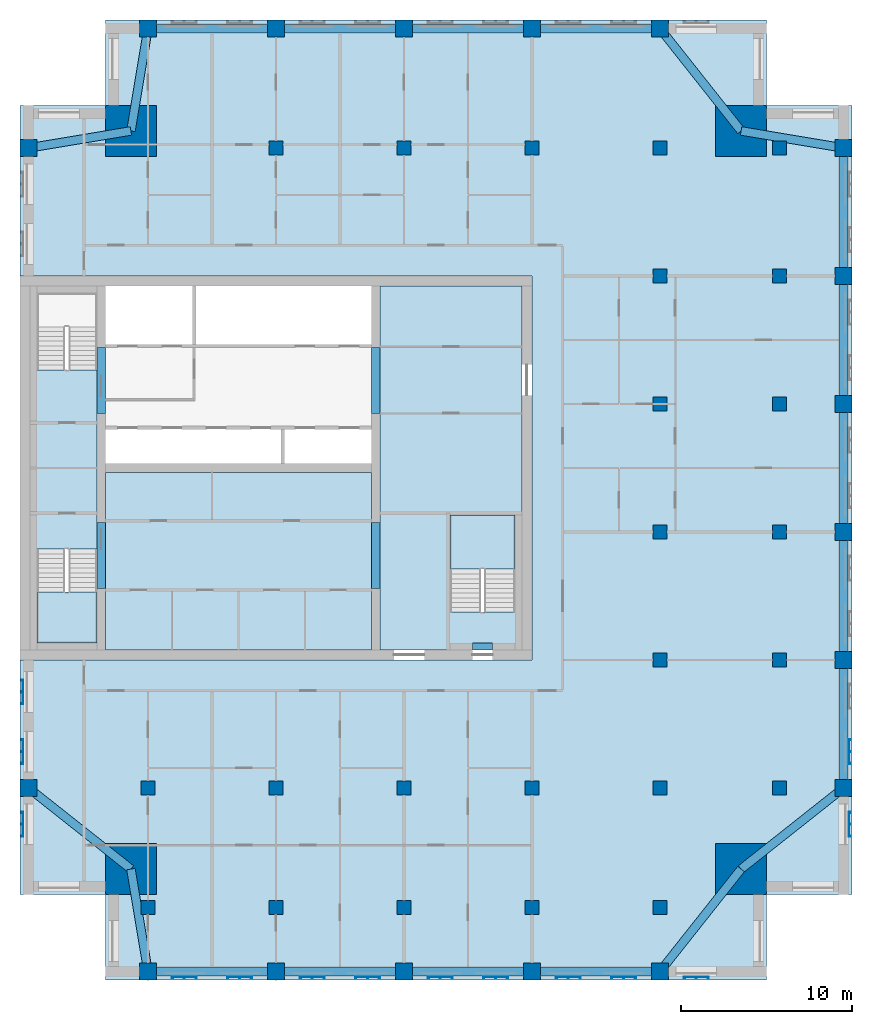
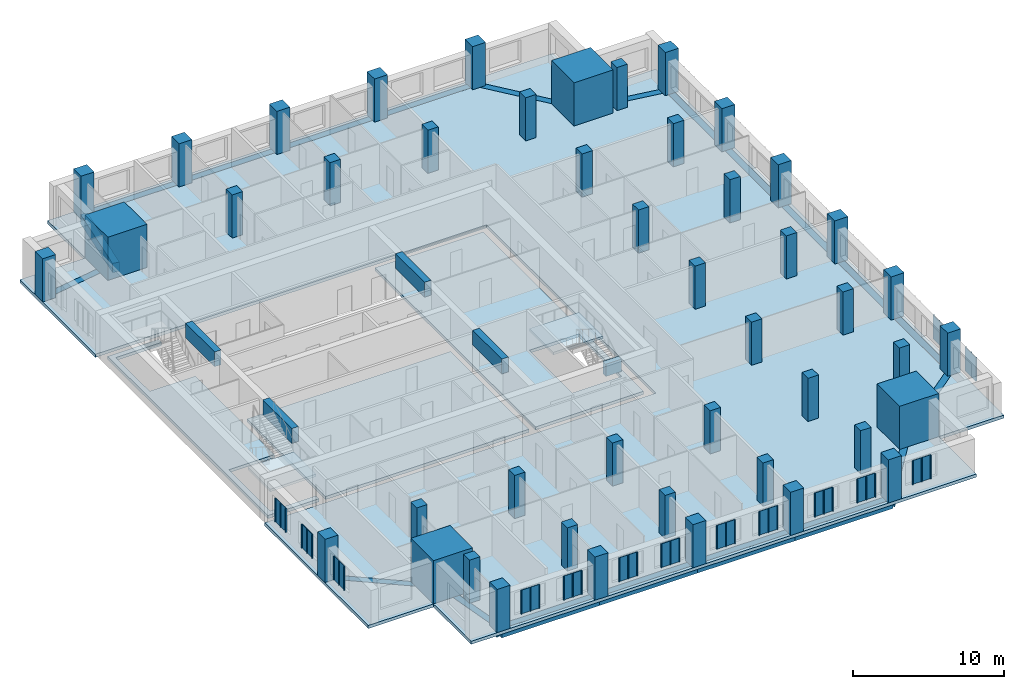
# One storey, part 1 of 11: 46 columns, 26 beams, 14 plates, 6 slabs, 2 elements without a shape of their own.
"""IFC4 building model written with IfcOpenShell, lengths in metres."""

from ifc_helpers import new_model, si_unit, direction, frame, origin, origin_2d, place, context, subcontext, project, spatial, polyline, rectangle, outline, extrude, material, layer, layer_set, material_profile, profile_set, type_object, element, aggregate, save


model = new_model("IFC4")

# Units and contexts
model_context = context("Model", 3, precision=1e-05, world=origin(), true_north=direction((0.0, 1.0)))
body_context = subcontext(model_context, "Body", "Model", "MODEL_VIEW")
ifc_project = project(units=[si_unit("LENGTHUNIT", "METRE"), si_unit("AREAUNIT", "SQUARE_METRE"), si_unit("VOLUMEUNIT", "CUBIC_METRE"), si_unit("PLANEANGLEUNIT", "RADIAN"), si_unit("MASSUNIT", "GRAM", prefix="KILO")], contexts=[model_context])

# Site, building, storey
site_placement = place(None, origin())
site = spatial("IfcSite", under=ifc_project, at=site_placement, CompositionType="ELEMENT")
building_placement = place(site_placement, origin())
building = spatial("IfcBuilding", under=site, at=building_placement, Name="Tamorin Gate", CompositionType="ELEMENT")
storey_placement = place(building_placement, frame((0.0, 0.0, 244.199951171875)))
storey = spatial("IfcBuildingStorey", under=building, at=storey_placement, Name="L61", CompositionType="ELEMENT", Elevation=244.199951171875)

# Columns
ifc_material_1 = material(Name="Concrete C50/60", Category="concrete")
ifc_material_profile_1 = material_profile(ifc_material_1, rectangle(XDim=1.0, YDim=1.0, at=origin_2d()), Name="RC 1000x1000")
ifc_profile_set_1 = profile_set([ifc_material_profile_1], Name="Concrete C50/60")
column_type_1 = type_object("IfcColumnType", Name="RC column 1000x1000 C50/60", PredefinedType="COLUMN", material=ifc_profile_set_1)
for number, where, z_axis, x_axis, name in (
    (1, (37.5, 41.75, 0.0), (0.0, 0.0, 1.0), (1.0, 0.0, 0.0), "Ring column L61"),
    (2, (45.0, 41.75, 0.0), (0.0, 0.0, 1.0), (1.0, 0.0, 0.0), "Ring column L61"),
    (3, (52.5, 41.75, 0.0), (0.0, 0.0, 1.0), (1.0, 0.0, 0.0), "Ring column L61"),
    (4, (60.0, 41.75, 0.0), (0.0, 0.0, 1.0), (1.0, 0.0, 0.0), "Ring column L61"),
    (5, (67.5, 41.75, 0.0), (0.0, 0.0, 1.0), (1.0, 0.0, 0.0), "Ring column L61"),
    (6, (78.25, 52.5, 0.0), (0.0, 0.0, 1.0), (1.0, 0.0, 0.0), "Ring column L61"),
    (7, (78.25, 60.0, 0.0), (0.0, 0.0, 1.0), (1.0, 0.0, 0.0), "Ring column L61"),
    (8, (78.25, 67.5, 0.0), (0.0, 0.0, 1.0), (1.0, 0.0, 0.0), "Ring column L61"),
    (9, (78.25, 75.0, 0.0), (0.0, 0.0, 1.0), (1.0, 0.0, 0.0), "Ring column L61"),
    (10, (78.25, 82.5, 0.0), (0.0, 0.0, 1.0), (1.0, 0.0, 0.0), "Ring column L61"),
    (11, (78.25, 90.0, 0.0), (0.0, 0.0, 1.0), (1.0, 0.0, 0.0), "Ring column L61"),
    (12, (30.5, 52.5, 0.0), (0.0, 0.0, 1.0), (1.0, 0.0, 0.0), "Ring column L61"),
    (13, (30.5, 90.0, 0.0), (0.0, 0.0, 1.0), (1.0, 0.0, 0.0), "Ring column L61"),
    (14, (37.5, 97.0, 0.0), (0.0, 0.0, 1.0), (1.0, 0.0, 0.0), "Ring column L61"),
    (15, (45.0, 97.0, 0.0), (0.0, 0.0, 1.0), (1.0, 0.0, 0.0), "Ring column L61"),
    (16, (52.5, 97.0, 0.0), (0.0, 0.0, 1.0), (1.0, 0.0, 0.0), "Ring column L61"),
    (17, (60.0, 97.0, 0.0), (0.0, 0.0, 1.0), (1.0, 0.0, 0.0), "Ring column L61"),
    (18, (67.5, 97.0, 0.0), (0.0, 0.0, 1.0), (1.0, 0.0, 0.0), "Ring column L61"),
):
    element("IfcColumn", number, at=place(storey_placement, frame(where, z_axis=z_axis, x_axis=x_axis)), inside=storey, type_object=column_type_1, Name=name, PredefinedType="COLUMN", context=body_context, shape_type="SweptSolid", body=[
        extrude(rectangle(XDim=1.0, YDim=1.0, at=origin_2d()), origin(), (0.0, 0.0, 1.0), 3.5),
    ])
ifc_material_profile_2 = material_profile(ifc_material_1, rectangle(XDim=3.0, YDim=3.0, at=origin_2d()), Name="RC 3000x3000")
ifc_profile_set_2 = profile_set([ifc_material_profile_2], Name="Concrete C50/60")
column_type_2 = type_object("IfcColumnType", Name="RC column 3000x3000 C50/60", PredefinedType="COLUMN", material=ifc_profile_set_2)
for number, where, z_axis, x_axis, name in (
    (19, (36.5, 47.75, 0.0), (0.0, 0.0, 1.0), (1.0, 0.0, 0.0), "Mega column SW L61"),
    (20, (72.25, 47.75, 0.0), (0.0, 0.0, 1.0), (1.0, 0.0, 0.0), "Mega column SE L61"),
    (21, (36.5, 91.0, 0.0), (0.0, 0.0, 1.0), (1.0, 0.0, 0.0), "Mega column NW L61"),
    (22, (72.25, 91.0, 0.0), (0.0, 0.0, 1.0), (1.0, 0.0, 0.0), "Mega column NE L61"),
):
    element("IfcColumn", number, at=place(storey_placement, frame(where, z_axis=z_axis, x_axis=x_axis)), inside=storey, type_object=column_type_2, Name=name, PredefinedType="COLUMN", context=body_context, shape_type="SweptSolid", body=[
        extrude(rectangle(XDim=3.0, YDim=3.0, at=origin_2d()), origin(), (0.0, 0.0, 1.0), 3.5),
    ])
ifc_material_profile_3 = material_profile(ifc_material_1, rectangle(XDim=0.800048828125, YDim=0.800048828125, at=origin_2d()), Name="RC 800x800")
ifc_profile_set_3 = profile_set([ifc_material_profile_3], Name="Concrete C50/60")
column_type_3 = type_object("IfcColumnType", Name="RC column 800x800 C50/60", PredefinedType="COLUMN", material=ifc_profile_set_3)
for number, where, z_axis, x_axis, name in (
    (23, (37.5, 45.5, 0.0), (0.0, 0.0, 1.0), (1.0, 0.0, 0.0), "Interior column L61"),
    (24, (37.5, 52.5, 0.0), (0.0, 0.0, 1.0), (1.0, 0.0, 0.0), "Interior column L61"),
    (25, (45.0, 45.5, 0.0), (0.0, 0.0, 1.0), (1.0, 0.0, 0.0), "Interior column L61"),
    (26, (45.0, 52.5, 0.0), (0.0, 0.0, 1.0), (1.0, 0.0, 0.0), "Interior column L61"),
    (27, (45.0, 90.0, 0.0), (0.0, 0.0, 1.0), (1.0, 0.0, 0.0), "Interior column L61"),
    (28, (52.5, 45.5, 0.0), (0.0, 0.0, 1.0), (1.0, 0.0, 0.0), "Interior column L61"),
    (29, (52.5, 52.5, 0.0), (0.0, 0.0, 1.0), (1.0, 0.0, 0.0), "Interior column L61"),
    (30, (52.5, 90.0, 0.0), (0.0, 0.0, 1.0), (1.0, 0.0, 0.0), "Interior column L61"),
    (31, (60.0, 45.5, 0.0), (0.0, 0.0, 1.0), (1.0, 0.0, 0.0), "Interior column L61"),
    (32, (60.0, 52.5, 0.0), (0.0, 0.0, 1.0), (1.0, 0.0, 0.0), "Interior column L61"),
    (33, (60.0, 90.0, 0.0), (0.0, 0.0, 1.0), (1.0, 0.0, 0.0), "Interior column L61"),
    (34, (67.5, 45.5, 0.0), (0.0, 0.0, 1.0), (1.0, 0.0, 0.0), "Interior column L61"),
    (35, (67.5, 52.5, 0.0), (0.0, 0.0, 1.0), (1.0, 0.0, 0.0), "Interior column L61"),
    (36, (67.5, 60.0, 0.0), (0.0, 0.0, 1.0), (1.0, 0.0, 0.0), "Interior column L61"),
    (37, (67.5, 67.5, 0.0), (0.0, 0.0, 1.0), (1.0, 0.0, 0.0), "Interior column L61"),
    (38, (67.5, 75.0, 0.0), (0.0, 0.0, 1.0), (1.0, 0.0, 0.0), "Interior column L61"),
    (39, (67.5, 82.5, 0.0), (0.0, 0.0, 1.0), (1.0, 0.0, 0.0), "Interior column L61"),
    (40, (67.5, 90.0, 0.0), (0.0, 0.0, 1.0), (1.0, 0.0, 0.0), "Interior column L61"),
    (41, (74.5, 52.5, 0.0), (0.0, 0.0, 1.0), (1.0, 0.0, 0.0), "Interior column L61"),
    (42, (74.5, 60.0, 0.0), (0.0, 0.0, 1.0), (1.0, 0.0, 0.0), "Interior column L61"),
    (43, (74.5, 67.5, 0.0), (0.0, 0.0, 1.0), (1.0, 0.0, 0.0), "Interior column L61"),
    (44, (74.5, 75.0, 0.0), (0.0, 0.0, 1.0), (1.0, 0.0, 0.0), "Interior column L61"),
    (45, (74.5, 82.5, 0.0), (0.0, 0.0, 1.0), (1.0, 0.0, 0.0), "Interior column L61"),
    (46, (74.5, 90.0, 0.0), (0.0, 0.0, 1.0), (1.0, 0.0, 0.0), "Interior column L61"),
):
    element("IfcColumn", number, at=place(storey_placement, frame(where, z_axis=z_axis, x_axis=x_axis)), inside=storey, type_object=column_type_3, Name=name, PredefinedType="COLUMN", context=body_context, shape_type="SweptSolid", body=[
        extrude(rectangle(XDim=0.800048828125, YDim=0.800048828125, at=origin_2d()), origin(), (0.0, 0.0, 1.0), 3.5),
    ])

# Beams
ifc_material_profile_4 = material_profile(ifc_material_1, rectangle(XDim=0.5, YDim=1.199951171875, at=origin_2d()), Name="RC 500x1200")
ifc_profile_set_4 = profile_set([ifc_material_profile_4], Name="Concrete C50/60")
beam_type_1 = type_object("IfcBeamType", Name="RC coupling beam 500x1200 C50/60", PredefinedType="BEAM", material=ifc_profile_set_4)
for number, where, z_axis, x_axis, name in (
    (47, (34.75, 64.199951171875, 2.900146484375), (0.0, 1.0, 0.0), (-1.0, 0.0, 0.0), "Coupling beam L61"),
    (48, (34.75, 74.449951171875, 2.900146484375), (0.0, 1.0, 0.0), (-1.0, 0.0, 0.0), "Coupling beam L61"),
    (49, (50.85009765625, 64.199951171875, 2.900146484375), (0.0, 1.0, 0.0), (-1.0, 0.0, 0.0), "Coupling beam L61"),
    (50, (50.85009765625, 74.449951171875, 2.900146484375), (0.0, 1.0, 0.0), (-1.0, 0.0, 0.0), "Coupling beam L61"),
):
    element("IfcBeam", number, at=place(storey_placement, frame(where, z_axis=z_axis, x_axis=x_axis)), inside=storey, type_object=beam_type_1, Name=name, PredefinedType="BEAM", context=body_context, shape_type="SweptSolid", body=[
        extrude(rectangle(XDim=0.5, YDim=1.199951171875, at=origin_2d()), origin(), (0.0, 0.0, 1.0), 3.85009765625),
    ])
ifc_material_profile_5 = material_profile(ifc_material_1, rectangle(XDim=0.5, YDim=0.75, at=origin_2d()), Name="RC 500x750")
ifc_profile_set_5 = profile_set([ifc_material_profile_5], Name="Concrete C50/60")
beam_type_2 = type_object("IfcBeamType", Name="RC spandrel 500x750 C50/60", PredefinedType="BEAM", material=ifc_profile_set_5)
for number, where, z_axis, x_axis, name in (
    (51, (37.5, 41.75, -0.375), (1.0, 0.0, 0.0), (0.0, 1.0, 0.0), "Spandrel beam L61"),
    (52, (45.0, 41.75, -0.375), (1.0, 0.0, 0.0), (0.0, 1.0, 0.0), "Spandrel beam L61"),
    (53, (52.5, 41.75, -0.375), (1.0, 0.0, 0.0), (0.0, 1.0, 0.0), "Spandrel beam L61"),
    (54, (60.0, 41.75, -0.375), (1.0, 0.0, 0.0), (0.0, 1.0, 0.0), "Spandrel beam L61"),
    (55, (78.25, 52.5, -0.375), (0.0, 1.0, 0.0), (-1.0, 0.0, 0.0), "Spandrel beam L61"),
    (56, (78.25, 60.0, -0.375), (0.0, 1.0, 0.0), (-1.0, 0.0, 0.0), "Spandrel beam L61"),
    (57, (78.25, 67.5, -0.375), (0.0, 1.0, 0.0), (-1.0, 0.0, 0.0), "Spandrel beam L61"),
    (58, (78.25, 75.0, -0.375), (0.0, 1.0, 0.0), (-1.0, 0.0, 0.0), "Spandrel beam L61"),
    (59, (78.25, 82.5, -0.375), (0.0, 1.0, 0.0), (-1.0, 0.0, 0.0), "Spandrel beam L61"),
    (60, (67.5, 97.0, -0.375), (-1.0, 0.0, 0.0), (0.0, -1.0, 0.0), "Spandrel beam L61"),
    (61, (60.0, 97.0, -0.375), (-1.0, 0.0, 0.0), (0.0, -1.0, 0.0), "Spandrel beam L61"),
    (62, (52.5, 97.0, -0.375), (-1.0, 0.0, 0.0), (0.0, -1.0, 0.0), "Spandrel beam L61"),
    (63, (45.0, 97.0, -0.375), (-1.0, 0.0, 0.0), (0.0, -1.0, 0.0), "Spandrel beam L61"),
):
    element("IfcBeam", number, at=place(storey_placement, frame(where, z_axis=z_axis, x_axis=x_axis)), inside=storey, type_object=beam_type_2, Name=name, PredefinedType="BEAM", context=body_context, shape_type="SweptSolid", body=[
        extrude(rectangle(XDim=0.5, YDim=0.75, at=origin_2d()), origin(), (0.0, 0.0, 1.0), 7.5),
    ])
beam_1_placement = place(storey_placement, frame((36.5, 47.75, -0.375), z_axis=(0.164398987305, -0.986393923832, 0.0), x_axis=(0.986393923832, 0.164398987305, 0.0)))
element("IfcBeam", 64, at=beam_1_placement, inside=storey, type_object=beam_type_2, Name="Corner tie beam L61", PredefinedType="BEAM", context=body_context, shape_type="SweptSolid", body=[
    extrude(rectangle(XDim=0.5, YDim=0.75, at=origin_2d()), origin(), (0.0, 0.0, 1.0), 6.082763671875),
])
for number, where, z_axis, x_axis, name in (
    (65, (36.5, 47.75, -0.375), (-0.784045824462, 0.620702944366, 0.0), (-0.620702944366, -0.784045824462, 0.0), "Corner tie beam L61"),
    (66, (72.25, 47.75, -0.375), (-0.620702944366, -0.784045824462, 0.0), (0.784045824462, -0.620702944366, 0.0), "Corner tie beam L61"),
    (67, (72.25, 47.75, -0.375), (0.784045824462, 0.620702944366, 0.0), (-0.620702944366, 0.784045824462, 0.0), "Corner tie beam L61"),
):
    element("IfcBeam", number, at=place(storey_placement, frame(where, z_axis=z_axis, x_axis=x_axis)), inside=storey, type_object=beam_type_2, Name=name, PredefinedType="BEAM", context=body_context, shape_type="SweptSolid", body=[
        extrude(rectangle(XDim=0.5, YDim=0.75, at=origin_2d()), origin(), (0.0, 0.0, 1.0), 7.652587890625),
    ])
for number, where, z_axis, x_axis, name in (
    (68, (36.5, 91.0, -0.375), (-0.986393923832, -0.164398987305, 0.0), (0.164398987305, -0.986393923832, 0.0), "Corner tie beam L61"),
    (69, (36.5, 91.0, -0.375), (0.164398987305, 0.986393923832, 0.0), (-0.986393923832, 0.164398987305, 0.0), "Corner tie beam L61"),
    (70, (72.25, 91.0, -0.375), (0.986393923832, -0.164398987305, 0.0), (0.164398987305, 0.986393923832, 0.0), "Corner tie beam L61"),
):
    element("IfcBeam", number, at=place(storey_placement, frame(where, z_axis=z_axis, x_axis=x_axis)), inside=storey, type_object=beam_type_2, Name=name, PredefinedType="BEAM", context=body_context, shape_type="SweptSolid", body=[
        extrude(rectangle(XDim=0.5, YDim=0.75, at=origin_2d()), origin(), (0.0, 0.0, 1.0), 6.082763671875),
    ])
beam_2_placement = place(storey_placement, frame((72.25, 91.0, -0.375), z_axis=(-0.620702944366, 0.784045824462, 0.0), x_axis=(-0.784045824462, -0.620702944366, 0.0)))
element("IfcBeam", 71, at=beam_2_placement, inside=storey, type_object=beam_type_2, Name="Corner tie beam L61", PredefinedType="BEAM", context=body_context, shape_type="SweptSolid", body=[
    extrude(rectangle(XDim=0.5, YDim=0.75, at=origin_2d()), origin(), (0.0, 0.0, 1.0), 7.652587890625),
])
ifc_material_profile_6 = material_profile(ifc_material_1, rectangle(XDim=0.39990234375, YDim=1.0, at=origin_2d()))
ifc_profile_set_6 = profile_set([ifc_material_profile_6], Name="Concrete C50/60")
beam_type_3 = type_object("IfcBeamType", Name="Stair lintel 400x1000 C50/60", PredefinedType="BEAM", material=ifc_profile_set_6)
beam_3_placement = place(storey_placement, frame((56.5, 60.800048828125, 2.699951171875), z_axis=(1.0, 0.0, 0.0), x_axis=(0.0, 1.0, 0.0)))
element("IfcBeam", 72, at=beam_3_placement, inside=storey, type_object=beam_type_3, Name="Stair lintel", PredefinedType="BEAM", context=body_context, shape_type="SweptSolid", body=[
    extrude(rectangle(XDim=0.39990234375, YDim=1.0, at=origin_2d()), origin(), (0.0, 0.0, 1.0), 1.199951171875),
])

# Slabs
ifc_material_2 = material(Name="Concrete C40/50", Category="concrete")
ifc_layer_1 = layer(ifc_material_2, 0.25)
ifc_layer_set_1 = layer_set([ifc_layer_1], Name="Core floor slab 250 C40/50")
slab_type_1 = type_object("IfcSlabType", Name="Core floor slab 250 C40/50", PredefinedType="FLOOR", material=ifc_layer_set_1)
slab_1_placement = place(storey_placement, frame((0.0, 0.0, -0.25)))
element("IfcSlab", 73, at=slab_1_placement, inside=storey, type_object=slab_type_1, Name="Core floor L61", PredefinedType="FLOOR", context=body_context, shape_type="SweptSolid", body=[
    extrude(outline(polyline([(51.10009765625, 81.89990234375), (59.39990234375, 81.89990234375), (59.39990234375, 60.60009765625), (51.10009765625, 60.60009765625), (51.10009765625, 81.89990234375)]), holes=[polyline([(55.199951171875, 62.800048828125), (59.0, 62.800048828125), (59.0, 68.5), (55.199951171875, 68.5), (55.199951171875, 62.800048828125)])]), origin(), (0.0, 0.0, 1.0), 0.25),
])
slab_2_placement = place(storey_placement, frame((0.0, 0.0, -0.25)))
element("IfcSlab", 74, at=slab_2_placement, inside=storey, type_object=slab_type_1, Name="Core floor L61", PredefinedType="FLOOR", context=body_context, shape_type="SweptSolid", body=[
    extrude(outline(polyline([(50.60009765625, 71.0), (50.60009765625, 60.60009765625), (35.0, 60.60009765625), (35.0, 71.0), (50.60009765625, 71.0)])), origin(), (0.0, 0.0, 1.0), 0.25),
])
slab_3_placement = place(storey_placement, frame((0.0, 0.0, -0.25)))
element("IfcSlab", 75, at=slab_3_placement, inside=storey, type_object=slab_type_1, Name="Core floor L61", PredefinedType="FLOOR", context=body_context, shape_type="SweptSolid", body=[
    extrude(outline(polyline([(34.5, 60.60009765625), (30.60009765625, 60.60009765625), (30.60009765625, 81.89990234375), (34.5, 81.89990234375), (34.5, 81.5), (31.0, 81.5), (31.0, 77.0), (34.5, 77.0), (34.5, 66.5), (31.0, 66.5), (31.0, 61.0), (34.5, 61.0), (34.5, 60.60009765625)])), origin(), (0.0, 0.0, 1.0), 0.25),
])

# Stair, slab
stair_type = type_object("IfcStairType", Name="Exit stair", PredefinedType="HALF_TURN_STAIR", material=ifc_material_2)
stair_1_placement = place(storey_placement, origin())
stair_1 = element("IfcStair", 76, at=stair_1_placement, inside=storey, type_object=stair_type, Name="L61 stair ST1", PredefinedType="HALF_TURN_STAIR")
ifc_layer_2 = layer(ifc_material_2, 0.199951171875)
ifc_layer_set_2 = layer_set([ifc_layer_2], Name="Exit stair landing 200")
slab_type_2 = type_object("IfcSlabType", Name="Exit stair landing 200", PredefinedType="LANDING", material=ifc_layer_set_2)
slab_4_placement = place(storey_placement, frame((0.0, 0.0, 1.550048828125)))
slab_4 = element("IfcSlab", 77, at=slab_4_placement, type_object=slab_type_2, Name="ST1 landing 1", PredefinedType="LANDING", context=body_context, shape_type="SweptSolid", body=[
    extrude(outline(polyline([(31.0, 63.97998046875), (31.0, 61.0), (34.5, 61.0), (34.5, 63.97998046875), (31.0, 63.97998046875)])), origin(), (0.0, 0.0, 1.0), 0.199951171875),
])
aggregate(stair_1, [slab_4])

stair_2_placement = place(storey_placement, origin())
stair_2 = element("IfcStair", 78, at=stair_2_placement, inside=storey, type_object=stair_type, Name="L61 stair ST3", PredefinedType="HALF_TURN_STAIR")
slab_5_placement = place(storey_placement, frame((0.0, 0.0, 1.550048828125)))
slab_5 = element("IfcSlab", 79, at=slab_5_placement, type_object=slab_type_2, Name="ST3 landing 1", PredefinedType="LANDING", context=body_context, shape_type="SweptSolid", body=[
    extrude(outline(polyline([(59.0, 65.320068359375), (59.0, 68.5), (55.199951171875, 68.5), (55.199951171875, 65.320068359375), (59.0, 65.320068359375)])), origin(), (0.0, 0.0, 1.0), 0.199951171875),
])
aggregate(stair_2, [slab_5])

# Slab
ifc_layer_3 = layer(ifc_material_2, 0.25)
ifc_layer_set_3 = layer_set([ifc_layer_3], Name="Floor slab 250 C40/50")
slab_type_3 = type_object("IfcSlabType", Name="Floor slab 250 C40/50", PredefinedType="FLOOR", material=ifc_layer_set_3)
slab_6_placement = place(storey_placement, frame((0.0, 0.0, -0.25)))
element("IfcSlab", 80, at=slab_6_placement, inside=storey, type_object=slab_type_3, Name="Floor L61", PredefinedType="FLOOR", context=body_context, shape_type="SweptSolid", body=[
    extrude(outline(polyline([(30.0, 92.5), (35.0, 92.5), (35.0, 97.5), (73.75, 97.5), (73.75, 92.5), (78.75, 92.5), (78.75, 46.25), (73.75, 46.25), (73.75, 41.25), (35.0, 41.25), (35.0, 46.25), (30.0, 46.25), (30.0, 60.0), (60.0, 60.0), (60.0, 82.5), (30.0, 82.5), (30.0, 92.5)])), origin(), (0.0, 0.0, 1.0), 0.25),
])

# Plates
ifc_material_3 = material(Name="Perforated pale aluminium sheet", Category="aluminium")
ifc_layer_4 = layer(ifc_material_3, 0.0400390625)
ifc_layer_set_4 = layer_set([ifc_layer_4], Name="Pale metal solar screen 1440")
plate_type = type_object("IfcPlateType", Name="Pale metal solar screen 1440", PredefinedType="SHEET", material=ifc_layer_set_4)
plate_1_placement = place(storey_placement, frame((0.0, 0.0, 0.737548828125)))
element("IfcPlate", 81, at=plate_1_placement, inside=storey, type_object=plate_type, Name="Perforated solar screen", PredefinedType="SHEET", context=body_context, shape_type="SweptSolid", body=[
    extrude(outline(polyline([(38.905029296875, 41.409912109375), (38.905029296875, 41.449951171875), (38.965087890625, 41.449951171875), (39.594970703125, 41.449951171875), (39.655029296875, 41.449951171875), (40.284912109375, 41.449951171875), (40.344970703125, 41.449951171875), (40.344970703125, 41.449951171875), (40.344970703125, 41.409912109375), (40.344970703125, 41.409912109375), (40.344970703125, 41.35009765625), (40.284912109375, 41.35009765625), (40.284912109375, 41.409912109375), (39.655029296875, 41.409912109375), (39.655029296875, 41.35009765625), (39.594970703125, 41.35009765625), (39.594970703125, 41.409912109375), (38.965087890625, 41.409912109375), (38.965087890625, 41.35009765625), (38.905029296875, 41.35009765625), (38.905029296875, 41.409912109375)])), origin(), (0.0, 0.0, 1.0), 1.925048828125),
])
plate_2_placement = place(storey_placement, frame((0.0, 0.0, 0.737548828125)))
element("IfcPlate", 82, at=plate_2_placement, inside=storey, type_object=plate_type, Name="Perforated solar screen", PredefinedType="SHEET", context=body_context, shape_type="SweptSolid", body=[
    extrude(outline(polyline([(42.155029296875, 41.409912109375), (42.155029296875, 41.449951171875), (42.215087890625, 41.449951171875), (42.844970703125, 41.449951171875), (42.905029296875, 41.449951171875), (43.534912109375, 41.449951171875), (43.594970703125, 41.449951171875), (43.594970703125, 41.409912109375), (43.594970703125, 41.35009765625), (43.534912109375, 41.35009765625), (43.534912109375, 41.409912109375), (42.905029296875, 41.409912109375), (42.905029296875, 41.35009765625), (42.844970703125, 41.35009765625), (42.844970703125, 41.409912109375), (42.215087890625, 41.409912109375), (42.215087890625, 41.35009765625), (42.155029296875, 41.35009765625), (42.155029296875, 41.409912109375)])), origin(), (0.0, 0.0, 1.0), 1.925048828125),
])
plate_3_placement = place(storey_placement, frame((0.0, 0.0, 0.737548828125)))
element("IfcPlate", 83, at=plate_3_placement, inside=storey, type_object=plate_type, Name="Perforated solar screen", PredefinedType="SHEET", context=body_context, shape_type="SweptSolid", body=[
    extrude(outline(polyline([(46.405029296875, 41.409912109375), (46.405029296875, 41.449951171875), (46.465087890625, 41.449951171875), (47.094970703125, 41.449951171875), (47.155029296875, 41.449951171875), (47.784912109375, 41.449951171875), (47.844970703125, 41.449951171875), (47.844970703125, 41.409912109375), (47.844970703125, 41.35009765625), (47.784912109375, 41.35009765625), (47.784912109375, 41.409912109375), (47.155029296875, 41.409912109375), (47.155029296875, 41.35009765625), (47.094970703125, 41.35009765625), (47.094970703125, 41.409912109375), (46.465087890625, 41.409912109375), (46.465087890625, 41.35009765625), (46.405029296875, 41.35009765625), (46.405029296875, 41.409912109375)])), origin(), (0.0, 0.0, 1.0), 1.925048828125),
])
plate_4_placement = place(storey_placement, frame((0.0, 0.0, 0.737548828125)))
element("IfcPlate", 84, at=plate_4_placement, inside=storey, type_object=plate_type, Name="Perforated solar screen", PredefinedType="SHEET", context=body_context, shape_type="SweptSolid", body=[
    extrude(outline(polyline([(49.655029296875, 41.409912109375), (49.655029296875, 41.449951171875), (49.715087890625, 41.449951171875), (50.344970703125, 41.449951171875), (50.405029296875, 41.449951171875), (51.034912109375, 41.449951171875), (51.094970703125, 41.449951171875), (51.094970703125, 41.409912109375), (51.094970703125, 41.35009765625), (51.034912109375, 41.35009765625), (51.034912109375, 41.409912109375), (50.405029296875, 41.409912109375), (50.405029296875, 41.35009765625), (50.344970703125, 41.35009765625), (50.344970703125, 41.409912109375), (49.715087890625, 41.409912109375), (49.715087890625, 41.35009765625), (49.655029296875, 41.35009765625), (49.655029296875, 41.409912109375)])), origin(), (0.0, 0.0, 1.0), 1.925048828125),
])
plate_5_placement = place(storey_placement, frame((0.0, 0.0, 0.737548828125)))
element("IfcPlate", 85, at=plate_5_placement, inside=storey, type_object=plate_type, Name="Perforated solar screen", PredefinedType="SHEET", context=body_context, shape_type="SweptSolid", body=[
    extrude(outline(polyline([(53.905029296875, 41.409912109375), (53.905029296875, 41.449951171875), (53.965087890625, 41.449951171875), (54.594970703125, 41.449951171875), (54.655029296875, 41.449951171875), (55.284912109375, 41.449951171875), (55.344970703125, 41.449951171875), (55.344970703125, 41.409912109375), (55.344970703125, 41.35009765625), (55.284912109375, 41.35009765625), (55.284912109375, 41.409912109375), (54.655029296875, 41.409912109375), (54.655029296875, 41.35009765625), (54.594970703125, 41.35009765625), (54.594970703125, 41.409912109375), (53.965087890625, 41.409912109375), (53.965087890625, 41.35009765625), (53.905029296875, 41.35009765625), (53.905029296875, 41.409912109375)])), origin(), (0.0, 0.0, 1.0), 1.925048828125),
])
plate_6_placement = place(storey_placement, frame((0.0, 0.0, 0.737548828125)))
element("IfcPlate", 86, at=plate_6_placement, inside=storey, type_object=plate_type, Name="Perforated solar screen", PredefinedType="SHEET", context=body_context, shape_type="SweptSolid", body=[
    extrude(outline(polyline([(57.155029296875, 41.409912109375), (57.155029296875, 41.449951171875), (57.215087890625, 41.449951171875), (57.844970703125, 41.449951171875), (57.905029296875, 41.449951171875), (58.534912109375, 41.449951171875), (58.594970703125, 41.449951171875), (58.594970703125, 41.409912109375), (58.594970703125, 41.35009765625), (58.534912109375, 41.35009765625), (58.534912109375, 41.409912109375), (57.905029296875, 41.409912109375), (57.905029296875, 41.35009765625), (57.844970703125, 41.35009765625), (57.844970703125, 41.409912109375), (57.215087890625, 41.409912109375), (57.215087890625, 41.35009765625), (57.155029296875, 41.35009765625), (57.155029296875, 41.409912109375)])), origin(), (0.0, 0.0, 1.0), 1.925048828125),
])
plate_7_placement = place(storey_placement, frame((0.0, 0.0, 0.737548828125)))
element("IfcPlate", 87, at=plate_7_placement, inside=storey, type_object=plate_type, Name="Perforated solar screen", PredefinedType="SHEET", context=body_context, shape_type="SweptSolid", body=[
    extrude(outline(polyline([(61.405029296875, 41.409912109375), (61.405029296875, 41.449951171875), (61.465087890625, 41.449951171875), (62.094970703125, 41.449951171875), (62.155029296875, 41.449951171875), (62.784912109375, 41.449951171875), (62.844970703125, 41.449951171875), (62.844970703125, 41.409912109375), (62.844970703125, 41.35009765625), (62.784912109375, 41.35009765625), (62.784912109375, 41.409912109375), (62.155029296875, 41.409912109375), (62.155029296875, 41.35009765625), (62.094970703125, 41.35009765625), (62.094970703125, 41.409912109375), (61.465087890625, 41.409912109375), (61.465087890625, 41.35009765625), (61.405029296875, 41.35009765625), (61.405029296875, 41.409912109375)])), origin(), (0.0, 0.0, 1.0), 1.925048828125),
])
plate_8_placement = place(storey_placement, frame((0.0, 0.0, 0.737548828125)))
element("IfcPlate", 88, at=plate_8_placement, inside=storey, type_object=plate_type, Name="Perforated solar screen", PredefinedType="SHEET", context=body_context, shape_type="SweptSolid", body=[
    extrude(outline(polyline([(64.655029296875, 41.409912109375), (64.655029296875, 41.449951171875), (64.715087890625, 41.449951171875), (65.344970703125, 41.449951171875), (65.405029296875, 41.449951171875), (66.034912109375, 41.449951171875), (66.094970703125, 41.449951171875), (66.094970703125, 41.409912109375), (66.094970703125, 41.35009765625), (66.034912109375, 41.35009765625), (66.034912109375, 41.409912109375), (65.405029296875, 41.409912109375), (65.405029296875, 41.35009765625), (65.344970703125, 41.35009765625), (65.344970703125, 41.409912109375), (64.715087890625, 41.409912109375), (64.715087890625, 41.35009765625), (64.655029296875, 41.35009765625), (64.655029296875, 41.409912109375)])), origin(), (0.0, 0.0, 1.0), 1.925048828125),
])
plate_9_placement = place(storey_placement, frame((0.0, 0.0, 0.737548828125)))
element("IfcPlate", 89, at=plate_9_placement, inside=storey, type_object=plate_type, Name="Perforated solar screen", PredefinedType="SHEET", context=body_context, shape_type="SweptSolid", body=[
    extrude(outline(polyline([(68.905029296875, 41.409912109375), (68.905029296875, 41.449951171875), (68.965087890625, 41.449951171875), (69.594970703125, 41.449951171875), (69.655029296875, 41.449951171875), (70.284912109375, 41.449951171875), (70.344970703125, 41.449951171875), (70.344970703125, 41.409912109375), (70.344970703125, 41.35009765625), (70.284912109375, 41.35009765625), (70.284912109375, 41.409912109375), (69.655029296875, 41.409912109375), (69.655029296875, 41.35009765625), (69.594970703125, 41.35009765625), (69.594970703125, 41.409912109375), (68.965087890625, 41.409912109375), (68.965087890625, 41.35009765625), (68.905029296875, 41.35009765625), (68.905029296875, 41.409912109375)])), origin(), (0.0, 0.0, 1.0), 1.925048828125),
])
plate_10_placement = place(storey_placement, frame((0.0, 0.0, 0.737548828125)))
element("IfcPlate", 90, at=plate_10_placement, inside=storey, type_object=plate_type, Name="Perforated solar screen", PredefinedType="SHEET", context=body_context, shape_type="SweptSolid", body=[
    extrude(outline(polyline([(78.590087890625, 49.655029296875), (78.550048828125, 49.655029296875), (78.550048828125, 49.715087890625), (78.550048828125, 50.344970703125), (78.550048828125, 50.405029296875), (78.550048828125, 51.034912109375), (78.550048828125, 51.094970703125), (78.550048828125, 51.094970703125), (78.590087890625, 51.094970703125), (78.590087890625, 51.094970703125), (78.64990234375, 51.094970703125), (78.64990234375, 51.034912109375), (78.590087890625, 51.034912109375), (78.590087890625, 50.405029296875), (78.64990234375, 50.405029296875), (78.64990234375, 50.344970703125), (78.590087890625, 50.344970703125), (78.590087890625, 49.715087890625), (78.64990234375, 49.715087890625), (78.64990234375, 49.655029296875), (78.590087890625, 49.655029296875)])), origin(), (0.0, 0.0, 1.0), 1.925048828125),
])
plate_11_placement = place(storey_placement, frame((0.0, 0.0, 0.737548828125)))
element("IfcPlate", 91, at=plate_11_placement, inside=storey, type_object=plate_type, Name="Perforated solar screen", PredefinedType="SHEET", context=body_context, shape_type="SweptSolid", body=[
    extrude(outline(polyline([(78.590087890625, 53.905029296875), (78.550048828125, 53.905029296875), (78.550048828125, 53.965087890625), (78.550048828125, 54.594970703125), (78.550048828125, 54.655029296875), (78.550048828125, 55.284912109375), (78.550048828125, 55.344970703125), (78.590087890625, 55.344970703125), (78.64990234375, 55.344970703125), (78.64990234375, 55.284912109375), (78.590087890625, 55.284912109375), (78.590087890625, 54.655029296875), (78.64990234375, 54.655029296875), (78.64990234375, 54.594970703125), (78.590087890625, 54.594970703125), (78.590087890625, 53.965087890625), (78.64990234375, 53.965087890625), (78.64990234375, 53.905029296875), (78.590087890625, 53.905029296875)])), origin(), (0.0, 0.0, 1.0), 1.925048828125),
])
plate_12_placement = place(storey_placement, frame((0.0, 0.0, 0.737548828125)))
element("IfcPlate", 92, at=plate_12_placement, inside=storey, type_object=plate_type, Name="Perforated solar screen", PredefinedType="SHEET", context=body_context, shape_type="SweptSolid", body=[
    extrude(outline(polyline([(30.159912109375, 55.344970703125), (30.199951171875, 55.344970703125), (30.199951171875, 55.284912109375), (30.199951171875, 54.655029296875), (30.199951171875, 54.594970703125), (30.199951171875, 53.965087890625), (30.199951171875, 53.905029296875), (30.159912109375, 53.905029296875), (30.10009765625, 53.905029296875), (30.10009765625, 53.965087890625), (30.159912109375, 53.965087890625), (30.159912109375, 54.594970703125), (30.10009765625, 54.594970703125), (30.10009765625, 54.655029296875), (30.159912109375, 54.655029296875), (30.159912109375, 55.284912109375), (30.10009765625, 55.284912109375), (30.10009765625, 55.344970703125), (30.159912109375, 55.344970703125)])), origin(), (0.0, 0.0, 1.0), 1.925048828125),
])
plate_13_placement = place(storey_placement, frame((0.0, 0.0, 0.737548828125)))
element("IfcPlate", 93, at=plate_13_placement, inside=storey, type_object=plate_type, Name="Perforated solar screen", PredefinedType="SHEET", context=body_context, shape_type="SweptSolid", body=[
    extrude(outline(polyline([(30.159912109375, 58.844970703125), (30.199951171875, 58.844970703125), (30.199951171875, 58.784912109375), (30.199951171875, 58.155029296875), (30.199951171875, 58.094970703125), (30.199951171875, 57.465087890625), (30.199951171875, 57.405029296875), (30.159912109375, 57.405029296875), (30.10009765625, 57.405029296875), (30.10009765625, 57.465087890625), (30.159912109375, 57.465087890625), (30.159912109375, 58.094970703125), (30.10009765625, 58.094970703125), (30.10009765625, 58.155029296875), (30.159912109375, 58.155029296875), (30.159912109375, 58.784912109375), (30.10009765625, 58.784912109375), (30.10009765625, 58.844970703125), (30.159912109375, 58.844970703125)])), origin(), (0.0, 0.0, 1.0), 1.925048828125),
])
plate_14_placement = place(storey_placement, frame((0.0, 0.0, 0.737548828125)))
element("IfcPlate", 94, at=plate_14_placement, inside=storey, type_object=plate_type, Name="Perforated solar screen", PredefinedType="SHEET", context=body_context, shape_type="SweptSolid", body=[
    extrude(outline(polyline([(30.159912109375, 51.094970703125), (30.199951171875, 51.094970703125), (30.199951171875, 51.034912109375), (30.199951171875, 50.405029296875), (30.199951171875, 50.344970703125), (30.199951171875, 49.715087890625), (30.199951171875, 49.655029296875), (30.159912109375, 49.655029296875), (30.10009765625, 49.655029296875), (30.10009765625, 49.715087890625), (30.159912109375, 49.715087890625), (30.159912109375, 50.344970703125), (30.10009765625, 50.344970703125), (30.10009765625, 50.405029296875), (30.159912109375, 50.405029296875), (30.159912109375, 51.034912109375), (30.10009765625, 51.034912109375), (30.10009765625, 51.094970703125), (30.159912109375, 51.094970703125)])), origin(), (0.0, 0.0, 1.0), 1.925048828125),
])

save(model, "model.ifc")
